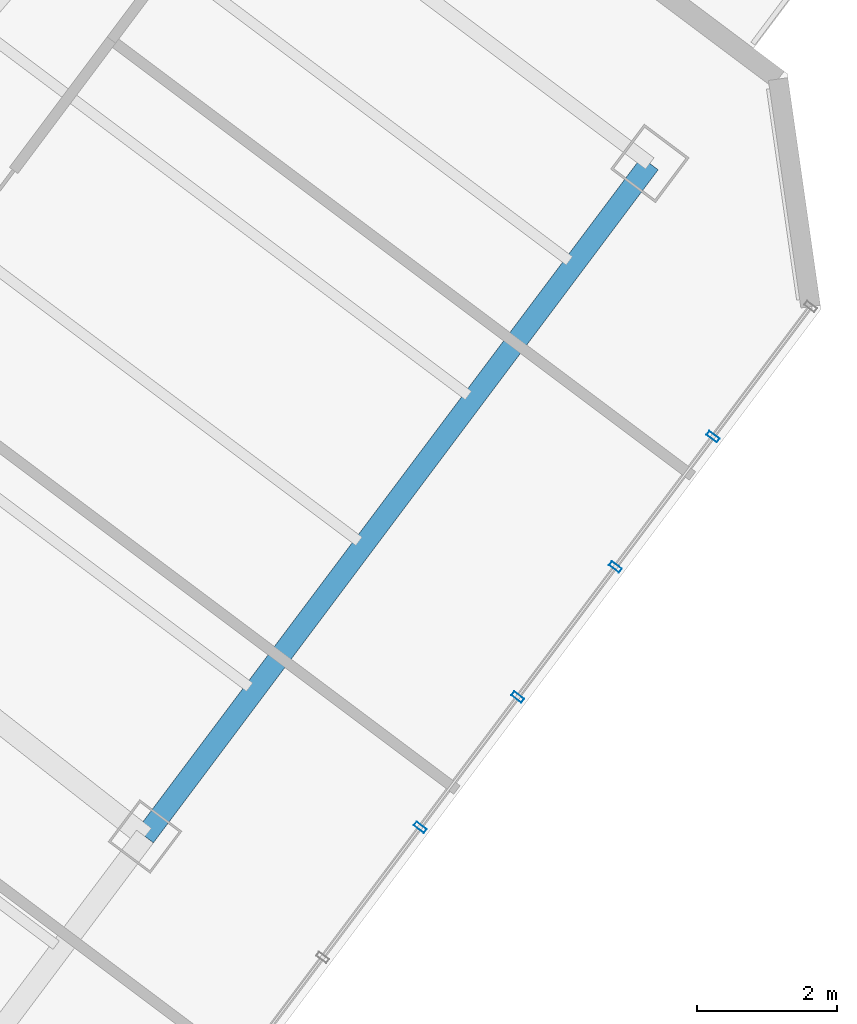
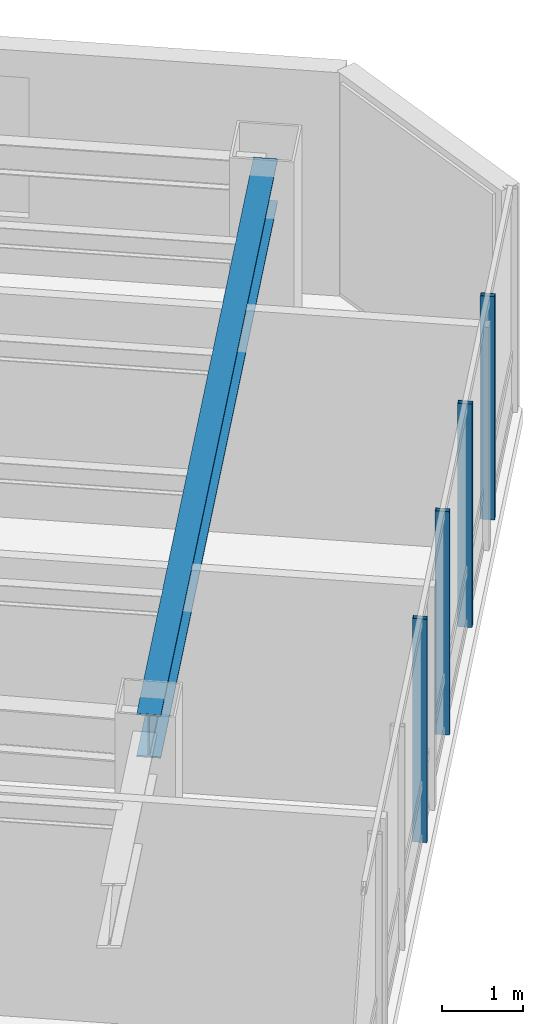
# One storey, part 13 of 27: 4 members, 1 beam, 1 element without a shape of its own.
"""IFC4 building model written with IfcOpenShell, lengths in metres."""

from ifc_helpers import new_model, si_unit, direction, frame, origin, origin_2d, place, context, subcontext, project, spatial, hollow_rectangle, i_section, extrude, material, layer, layer_set, material_profile, profile_set, type_object, element, aggregate, save


model = new_model("IFC4")

# Units and contexts
model_context = context("Model", 3, precision=1e-05, world=origin(), true_north=direction((0.0, 1.0)))
body_context = subcontext(model_context, "Body", "Model", "MODEL_VIEW")
ifc_project = project(units=[si_unit("LENGTHUNIT", "METRE"), si_unit("AREAUNIT", "SQUARE_METRE"), si_unit("VOLUMEUNIT", "CUBIC_METRE"), si_unit("PLANEANGLEUNIT", "RADIAN"), si_unit("MASSUNIT", "GRAM", prefix="KILO")], contexts=[model_context])

# Site, building, storey
site_placement = place(None, origin())
site = spatial("IfcSite", under=ifc_project, at=site_placement, CompositionType="ELEMENT")
building_placement = place(site_placement, origin())
building = spatial("IfcBuilding", under=site, at=building_placement, Name="Hatsunagi Terrace Concourse", CompositionType="ELEMENT")
storey_placement = place(building_placement, frame((0.0, 0.0, 163.64990234375)))
storey = spatial("IfcBuildingStorey", under=building, at=storey_placement, Name="L43", CompositionType="ELEMENT", Elevation=163.64990234375)

# Curtain wall, members
ifc_material_1 = material(Name="Anodised Aluminium Alloy 6063-T5", Category="aluminium")
ifc_layer = layer(ifc_material_1, 0.199951171875)
ifc_layer_set = layer_set([ifc_layer], Name="OfficeZone1_CW03")
curtain_wall_type = type_object("IfcCurtainWallType", Name="OfficeZone1_CW03", PredefinedType="NOTDEFINED", material=ifc_layer_set)
curtain_wall_placement = place(storey_placement, origin())
curtain_wall = element("IfcCurtainWall", 1, at=curtain_wall_placement, inside=storey, type_object=curtain_wall_type, Name="Unitised Curtain Wall CW-03 CW-L43-03", PredefinedType="NOTDEFINED")
ifc_material_2 = material(Name="Anodised Aluminium Alloy 6063-T5", Category="aluminium")
ifc_material_profile_1 = material_profile(ifc_material_2, hollow_rectangle(XDim=0.070068359375, YDim=0.179931640625, WallThickness=0.00390625, at=origin_2d()), Name="ALU-MUL-180x70x4")
ifc_profile_set_1 = profile_set([ifc_material_profile_1], Name="Anodised Aluminium Alloy 6063-T5")
member_type = type_object("IfcMemberType", Name="CurtainWallMullion_180x70", PredefinedType="MULLION", material=ifc_profile_set_1)
member_1_placement = place(storey_placement, frame((59.301025390625, 24.10205078125, 0.0), z_axis=(0.0, 0.0, 1.0), x_axis=(-0.599969314634, -0.800023013105, 0.0)))
member_1 = element("IfcMember", 2, at=member_1_placement, type_object=member_type, Name="Curtain Wall Mullion MUL-02", PredefinedType="MULLION", context=body_context, shape_type="SweptSolid", body=[
    extrude(hollow_rectangle(XDim=0.070068359375, YDim=0.179931640625, WallThickness=0.00390625, at=origin_2d()), origin(), (0.0, 0.0, 1.0), 3.35009765625),
])
member_2_placement = place(storey_placement, frame((57.908935546875, 22.2451171875, 0.0), z_axis=(0.0, 0.0, 1.0), x_axis=(-0.599969314634, -0.800023013105, 0.0)))
member_2 = element("IfcMember", 3, at=member_2_placement, type_object=member_type, Name="Curtain Wall Mullion MUL-02", PredefinedType="MULLION", context=body_context, shape_type="SweptSolid", body=[
    extrude(hollow_rectangle(XDim=0.070068359375, YDim=0.179931640625, WallThickness=0.00390625, at=origin_2d()), origin(), (0.0, 0.0, 1.0), 3.35009765625),
])
member_3_placement = place(storey_placement, frame((56.51611328125, 20.388916015625, 0.0), z_axis=(0.0, 0.0, 1.0), x_axis=(-0.599969314634, -0.800023013105, 0.0)))
member_3 = element("IfcMember", 4, at=member_3_placement, type_object=member_type, Name="Curtain Wall Mullion MUL-02", PredefinedType="MULLION", context=body_context, shape_type="SweptSolid", body=[
    extrude(hollow_rectangle(XDim=0.070068359375, YDim=0.179931640625, WallThickness=0.00390625, at=origin_2d()), origin(), (0.0, 0.0, 1.0), 3.35009765625),
])
member_4_placement = place(storey_placement, frame((55.1240234375, 18.531982421875, 0.0), z_axis=(0.0, 0.0, 1.0), x_axis=(-0.599969314634, -0.800023013105, 0.0)))
member_4 = element("IfcMember", 5, at=member_4_placement, type_object=member_type, Name="Curtain Wall Mullion MUL-02", PredefinedType="MULLION", context=body_context, shape_type="SweptSolid", body=[
    extrude(hollow_rectangle(XDim=0.070068359375, YDim=0.179931640625, WallThickness=0.00390625, at=origin_2d()), origin(), (0.0, 0.0, 1.0), 3.35009765625),
])
aggregate(curtain_wall, [member_1, member_2, member_3, member_4])

# Beam
ifc_material_3 = material(Name="Steel SN490B", Category="steel")
ifc_material_profile_2 = material_profile(ifc_material_3, i_section(OverallWidth=0.300048828125, OverallDepth=0.64990234375, WebThickness=0.012939453125, FlangeThickness=0.02197265625, FilletRadius=0.01806640625, at=origin_2d()), Name="H-650x300x13x22")
ifc_profile_set_2 = profile_set([ifc_material_profile_2], Name="Steel SN490B")
beam_type = type_object("IfcBeamType", Name="OfficeLowGirder_H_650x300", PredefinedType="BEAM", material=ifc_profile_set_2)
beam_placement = place(storey_placement, frame((51.199951171875, 18.39990234375, 3.025146484375), z_axis=(0.59999348959, 0.800004882766, 0.0), x_axis=(-0.800004882766, 0.59999348959, 0.0)))
element("IfcBeam", 6, at=beam_placement, inside=storey, type_object=beam_type, Name="Beam G-05 BM-L43-SET-2B", PredefinedType="BEAM", context=body_context, shape_type="SweptSolid", body=[
    extrude(i_section(OverallWidth=0.300048828125, OverallDepth=0.64990234375, WebThickness=0.012939453125, FlangeThickness=0.02197265625, FilletRadius=0.01806640625, at=origin_2d()), origin(), (0.0, 0.0, 1.0), 12.0),
])

save(model, "model.ifc")
